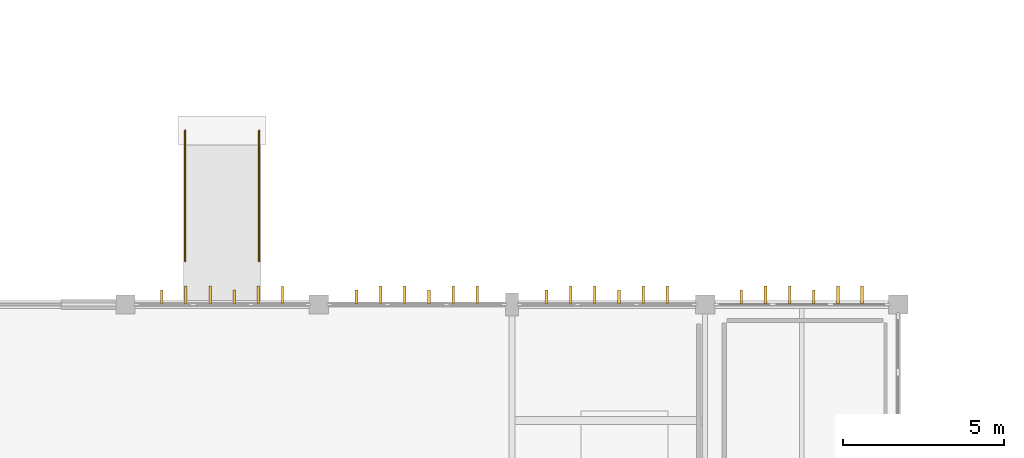
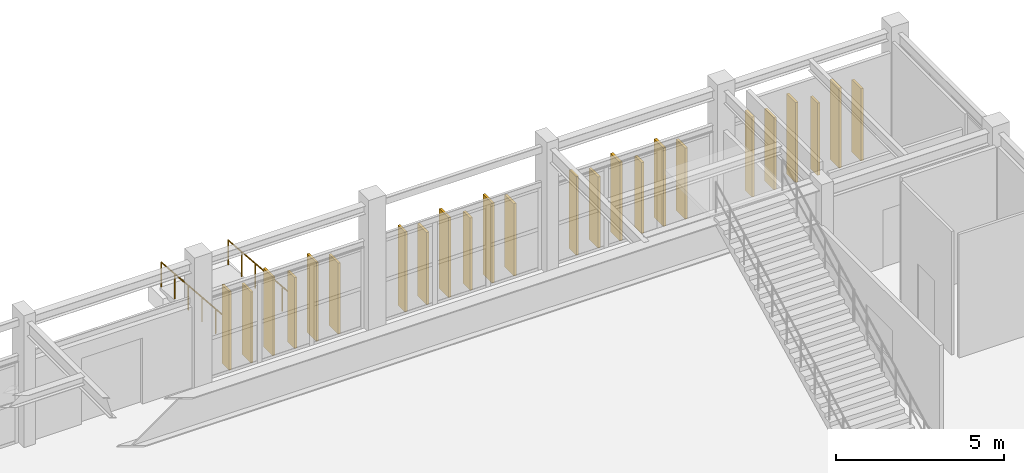
# One storey, part 67 of 76: 18 coverings, 6 shading devices, 2 railings.
"""IFC4 building model written with IfcOpenShell, lengths in metres."""

from ifc_helpers import new_model, si_unit, direction, frame, origin, origin_2d, place, context, subcontext, project, spatial, rectangle, circle, extrude, material, layer, layer_set, type_object, element, save


model = new_model("IFC4")

# Units and contexts
model_context = context("Model", 3, precision=1e-05, world=origin(), true_north=direction((0.0, 1.0)))
body_context = subcontext(model_context, "Body", "Model", "MODEL_VIEW")
ifc_project = project(units=[si_unit("LENGTHUNIT", "METRE"), si_unit("AREAUNIT", "SQUARE_METRE"), si_unit("VOLUMEUNIT", "CUBIC_METRE"), si_unit("PLANEANGLEUNIT", "RADIAN"), si_unit("MASSUNIT", "GRAM", prefix="KILO")], contexts=[model_context])

# Site, building, storey
site_placement = place(None, origin())
site = spatial("IfcSite", under=ifc_project, at=site_placement, CompositionType="ELEMENT")
building_placement = place(site_placement, origin())
building = spatial("IfcBuilding", under=site, at=building_placement, Name="Varnakota Square Police Headquarters", CompositionType="ELEMENT")
storey_placement = place(building_placement, origin())
storey = spatial("IfcBuildingStorey", under=building, at=storey_placement, Name="L00", CompositionType="ELEMENT", Elevation=0.0)

# Coverings
ifc_material_1 = material(Name="White Anodised Aluminium Vertical Facade Blade 420", Category="aluminium")
ifc_layer_1 = layer(ifc_material_1, 0.0849609375, Name="White Anodised Aluminium Vertical Facade Blade 420")
ifc_layer_set_1 = layer_set([ifc_layer_1], Name="White Anodised Aluminium Vertical Facade Blade 420")
covering_type_1 = type_object("IfcCoveringType", Name="COV-FIN-420", PredefinedType="CLADDING", material=ifc_layer_set_1)
covering_1_placement = place(storey_placement, frame((79.175048828125, 39.237548828125, 0.0400390625), z_axis=(0.0, 0.0, 1.0), x_axis=(1.0, 0.0, 0.0)))
element("IfcCovering", 1, at=covering_1_placement, inside=storey, type_object=covering_type_1, Name="Vertical aluminium facade fin FIN-0025", PredefinedType="CLADDING", context=body_context, shape_type="SweptSolid", body=[
    extrude(rectangle(XDim=0.0849609375, YDim=0.419921875, at=origin_2d()), origin(), (0.0, 0.0, 1.0), 2.909912109375),
])
covering_2_placement = place(storey_placement, frame((81.425048828125, 39.237548828125, 0.0400390625), z_axis=(0.0, 0.0, 1.0), x_axis=(1.0, 0.0, 0.0)))
element("IfcCovering", 2, at=covering_2_placement, inside=storey, type_object=covering_type_1, Name="Vertical aluminium facade fin FIN-0028", PredefinedType="CLADDING", context=body_context, shape_type="SweptSolid", body=[
    extrude(rectangle(XDim=0.0849609375, YDim=0.419921875, at=origin_2d()), origin(), (0.0, 0.0, 1.0), 2.6298828125),
])
covering_3_placement = place(storey_placement, frame((85.074951171875, 39.237548828125, 0.0400390625), z_axis=(0.0, 0.0, 1.0), x_axis=(1.0, 0.0, 0.0)))
element("IfcCovering", 3, at=covering_3_placement, inside=storey, type_object=covering_type_1, Name="Vertical aluminium facade fin FIN-0031", PredefinedType="CLADDING", context=body_context, shape_type="SweptSolid", body=[
    extrude(rectangle(XDim=0.0849609375, YDim=0.419921875, at=origin_2d()), origin(), (0.0, 0.0, 1.0), 2.860107421875),
])
covering_4_placement = place(storey_placement, frame((87.324951171875, 39.237548828125, 0.0400390625), z_axis=(0.0, 0.0, 1.0), x_axis=(1.0, 0.0, 0.0)))
element("IfcCovering", 4, at=covering_4_placement, inside=storey, type_object=covering_type_1, Name="Vertical aluminium facade fin FIN-0034", PredefinedType="CLADDING", context=body_context, shape_type="SweptSolid", body=[
    extrude(rectangle(XDim=0.0849609375, YDim=0.419921875, at=origin_2d()), origin(), (0.0, 0.0, 1.0), 2.580078125),
])
covering_5_placement = place(storey_placement, frame((91.125, 39.237548828125, 0.0400390625), z_axis=(0.0, 0.0, 1.0), x_axis=(1.0, 0.0, 0.0)))
element("IfcCovering", 5, at=covering_5_placement, inside=storey, type_object=covering_type_1, Name="Vertical aluminium facade fin FIN-0037", PredefinedType="CLADDING", context=body_context, shape_type="SweptSolid", body=[
    extrude(rectangle(XDim=0.0849609375, YDim=0.419921875, at=origin_2d()), origin(), (0.0, 0.0, 1.0), 2.909912109375),
])
covering_6_placement = place(storey_placement, frame((93.375, 39.237548828125, 0.0400390625), z_axis=(0.0, 0.0, 1.0), x_axis=(1.0, 0.0, 0.0)))
element("IfcCovering", 6, at=covering_6_placement, inside=storey, type_object=covering_type_1, Name="Vertical aluminium facade fin FIN-0040", PredefinedType="CLADDING", context=body_context, shape_type="SweptSolid", body=[
    extrude(rectangle(XDim=0.0849609375, YDim=0.419921875, at=origin_2d()), origin(), (0.0, 0.0, 1.0), 2.6298828125),
])
ifc_material_2 = material(Name="White Anodised Aluminium Vertical Facade Blade 550", Category="aluminium")
ifc_layer_2 = layer(ifc_material_2, 0.0849609375, Name="White Anodised Aluminium Vertical Facade Blade 550")
ifc_layer_set_2 = layer_set([ifc_layer_2], Name="White Anodised Aluminium Vertical Facade Blade 550")
covering_type_2 = type_object("IfcCoveringType", Name="COV-FIN-550", PredefinedType="CLADDING", material=ifc_layer_set_2)
covering_7_placement = place(storey_placement, frame((79.925048828125, 39.302490234375, 0.0400390625), z_axis=(0.0, 0.0, 1.0), x_axis=(1.0, 0.0, 0.0)))
element("IfcCovering", 7, at=covering_7_placement, inside=storey, type_object=covering_type_2, Name="Vertical aluminium facade fin FIN-0026", PredefinedType="CLADDING", context=body_context, shape_type="SweptSolid", body=[
    extrude(rectangle(XDim=0.0849609375, YDim=0.550048828125, at=origin_2d()), origin(), (0.0, 0.0, 1.0), 2.6298828125),
])
for number, where, z_axis, x_axis, name in (
    (8, (80.675048828125, 39.302490234375, 0.0400390625), (0.0, 0.0, 1.0), (1.0, 0.0, 0.0), "Vertical aluminium facade fin FIN-0027"),
    (9, (82.175048828125, 39.302490234375, 0.0400390625), (0.0, 0.0, 1.0), (1.0, 0.0, 0.0), "Vertical aluminium facade fin FIN-0029"),
):
    element("IfcCovering", number, at=place(storey_placement, frame(where, z_axis=z_axis, x_axis=x_axis)), inside=storey, type_object=covering_type_2, Name=name, PredefinedType="CLADDING", context=body_context, shape_type="SweptSolid", body=[
        extrude(rectangle(XDim=0.0849609375, YDim=0.550048828125, at=origin_2d()), origin(), (0.0, 0.0, 1.0), 2.909912109375),
    ])
covering_8_placement = place(storey_placement, frame((82.925048828125, 39.302490234375, 0.0400390625), z_axis=(0.0, 0.0, 1.0), x_axis=(1.0, 0.0, 0.0)))
element("IfcCovering", 10, at=covering_8_placement, inside=storey, type_object=covering_type_2, Name="Vertical aluminium facade fin FIN-0030", PredefinedType="CLADDING", context=body_context, shape_type="SweptSolid", body=[
    extrude(rectangle(XDim=0.0849609375, YDim=0.550048828125, at=origin_2d()), origin(), (0.0, 0.0, 1.0), 2.6298828125),
])
covering_9_placement = place(storey_placement, frame((85.824951171875, 39.302490234375, 0.0400390625), z_axis=(0.0, 0.0, 1.0), x_axis=(1.0, 0.0, 0.0)))
element("IfcCovering", 11, at=covering_9_placement, inside=storey, type_object=covering_type_2, Name="Vertical aluminium facade fin FIN-0032", PredefinedType="CLADDING", context=body_context, shape_type="SweptSolid", body=[
    extrude(rectangle(XDim=0.0849609375, YDim=0.550048828125, at=origin_2d()), origin(), (0.0, 0.0, 1.0), 2.580078125),
])
for number, where, z_axis, x_axis, name in (
    (12, (86.574951171875, 39.302490234375, 0.0400390625), (0.0, 0.0, 1.0), (1.0, 0.0, 0.0), "Vertical aluminium facade fin FIN-0033"),
    (13, (88.074951171875, 39.302490234375, 0.0400390625), (0.0, 0.0, 1.0), (1.0, 0.0, 0.0), "Vertical aluminium facade fin FIN-0035"),
):
    element("IfcCovering", number, at=place(storey_placement, frame(where, z_axis=z_axis, x_axis=x_axis)), inside=storey, type_object=covering_type_2, Name=name, PredefinedType="CLADDING", context=body_context, shape_type="SweptSolid", body=[
        extrude(rectangle(XDim=0.0849609375, YDim=0.550048828125, at=origin_2d()), origin(), (0.0, 0.0, 1.0), 2.860107421875),
    ])
covering_10_placement = place(storey_placement, frame((88.824951171875, 39.302490234375, 0.0400390625), z_axis=(0.0, 0.0, 1.0), x_axis=(1.0, 0.0, 0.0)))
element("IfcCovering", 14, at=covering_10_placement, inside=storey, type_object=covering_type_2, Name="Vertical aluminium facade fin FIN-0036", PredefinedType="CLADDING", context=body_context, shape_type="SweptSolid", body=[
    extrude(rectangle(XDim=0.0849609375, YDim=0.550048828125, at=origin_2d()), origin(), (0.0, 0.0, 1.0), 2.580078125),
])
covering_11_placement = place(storey_placement, frame((91.875, 39.302490234375, 0.0400390625), z_axis=(0.0, 0.0, 1.0), x_axis=(1.0, 0.0, 0.0)))
element("IfcCovering", 15, at=covering_11_placement, inside=storey, type_object=covering_type_2, Name="Vertical aluminium facade fin FIN-0038", PredefinedType="CLADDING", context=body_context, shape_type="SweptSolid", body=[
    extrude(rectangle(XDim=0.0849609375, YDim=0.550048828125, at=origin_2d()), origin(), (0.0, 0.0, 1.0), 2.6298828125),
])
for number, where, z_axis, x_axis, name in (
    (16, (92.625, 39.302490234375, 0.0400390625), (0.0, 0.0, 1.0), (1.0, 0.0, 0.0), "Vertical aluminium facade fin FIN-0039"),
    (17, (94.125, 39.302490234375, 0.0400390625), (0.0, 0.0, 1.0), (1.0, 0.0, 0.0), "Vertical aluminium facade fin FIN-0041"),
):
    element("IfcCovering", number, at=place(storey_placement, frame(where, z_axis=z_axis, x_axis=x_axis)), inside=storey, type_object=covering_type_2, Name=name, PredefinedType="CLADDING", context=body_context, shape_type="SweptSolid", body=[
        extrude(rectangle(XDim=0.0849609375, YDim=0.550048828125, at=origin_2d()), origin(), (0.0, 0.0, 1.0), 2.909912109375),
    ])
covering_12_placement = place(storey_placement, frame((94.875, 39.302490234375, 0.0400390625), z_axis=(0.0, 0.0, 1.0), x_axis=(1.0, 0.0, 0.0)))
element("IfcCovering", 18, at=covering_12_placement, inside=storey, type_object=covering_type_2, Name="Vertical aluminium facade fin FIN-0042", PredefinedType="CLADDING", context=body_context, shape_type="SweptSolid", body=[
    extrude(rectangle(XDim=0.0849609375, YDim=0.550048828125, at=origin_2d()), origin(), (0.0, 0.0, 1.0), 2.6298828125),
])

# Railings
ifc_material_3 = material(Name="Brushed Stainless Steel Tubular Handrail", Category="steel")
railing_type = type_object("IfcRailingType", Name="RL-HND-920", PredefinedType="HANDRAIL", material=ifc_material_3)
for number, where, name in (
    (19, (76.14990234375, 44.39990234375, -0.449951171875), "Accessible ramp handrail RMP-A4-L"),
    (20, (73.85009765625, 44.39990234375, -0.449951171875), "Accessible ramp handrail RMP-A4-R"),
):
    element("IfcRailing", number, at=place(storey_placement, frame(where)), inside=storey, type_object=railing_type, Name=name, PredefinedType="HANDRAIL", context=body_context, shape_type="SweptSolid", body=[
        extrude(circle(Radius=0.02392578125, at=origin_2d()), frame((0.0, 0.0, 0.89599609375), z_axis=(0.0, -0.996547415327, 0.083025592475), x_axis=(1.0, 0.0, 0.0)), (0.0, 0.0, 1.0), 4.063720703125),
        extrude(circle(Radius=0.02099609375, at=origin_2d()), origin(), (0.0, 0.0, 1.0), 0.871826171875),
        extrude(circle(Radius=0.02099609375, at=origin_2d()), frame((0.0, -0.81005859375, 0.0673828125)), (0.0, 0.0, 1.0), 0.871826171875),
        extrude(circle(Radius=0.02099609375, at=origin_2d()), frame((0.0, -1.619873046875, 0.135009765625)), (0.0, 0.0, 1.0), 0.871826171875),
        extrude(circle(Radius=0.02099609375, at=origin_2d()), frame((0.0, -2.429931640625, 0.202392578125)), (0.0, 0.0, 1.0), 0.871826171875),
        extrude(circle(Radius=0.02099609375, at=origin_2d()), frame((0.0, -3.23974609375, 0.27001953125)), (0.0, 0.0, 1.0), 0.871826171875),
        extrude(circle(Radius=0.02099609375, at=origin_2d()), frame((0.0, -4.0498046875, 0.33740234375)), (0.0, 0.0, 1.0), 0.871826171875),
    ])

# Shading devices
ifc_material_4 = material(Name="Pale-Anodised Aluminium Solar Blade", Category="aluminium")
shading_device_type_1 = type_object("IfcShadingDeviceType", Name="SHD-FIN-420", PredefinedType="USERDEFINED", material=ifc_material_4)
shading_device_1_placement = place(storey_placement, frame((73.125, 39.237548828125, 0.0400390625), z_axis=(0.0, 0.0, 1.0), x_axis=(1.0, 0.0, 0.0)))
element("IfcShadingDevice", 21, at=shading_device_1_placement, inside=storey, type_object=shading_device_type_1, Name="Vertical aluminium facade fin FIN-0019", ObjectType="FIN", PredefinedType="USERDEFINED", context=body_context, shape_type="SweptSolid", body=[
    extrude(rectangle(XDim=0.074951171875, YDim=0.419921875, at=origin_2d()), origin(), (0.0, 0.0, 1.0), 2.860107421875),
])
shading_device_2_placement = place(storey_placement, frame((75.375, 39.237548828125, 0.0400390625), z_axis=(0.0, 0.0, 1.0), x_axis=(1.0, 0.0, 0.0)))
element("IfcShadingDevice", 22, at=shading_device_2_placement, inside=storey, type_object=shading_device_type_1, Name="Vertical aluminium facade fin FIN-0022", ObjectType="FIN", PredefinedType="USERDEFINED", context=body_context, shape_type="SweptSolid", body=[
    extrude(rectangle(XDim=0.074951171875, YDim=0.419921875, at=origin_2d()), origin(), (0.0, 0.0, 1.0), 2.580078125),
])
shading_device_type_2 = type_object("IfcShadingDeviceType", Name="SHD-FIN-550", PredefinedType="USERDEFINED", material=ifc_material_4)
shading_device_3_placement = place(storey_placement, frame((73.875, 39.302490234375, 0.0400390625), z_axis=(0.0, 0.0, 1.0), x_axis=(1.0, 0.0, 0.0)))
element("IfcShadingDevice", 23, at=shading_device_3_placement, inside=storey, type_object=shading_device_type_2, Name="Vertical aluminium facade fin FIN-0020", ObjectType="FIN", PredefinedType="USERDEFINED", context=body_context, shape_type="SweptSolid", body=[
    extrude(rectangle(XDim=0.074951171875, YDim=0.550048828125, at=origin_2d()), origin(), (0.0, 0.0, 1.0), 2.580078125),
])
for number, where, z_axis, x_axis, name in (
    (24, (74.625, 39.302490234375, 0.0400390625), (0.0, 0.0, 1.0), (1.0, 0.0, 0.0), "Vertical aluminium facade fin FIN-0021"),
    (25, (76.125, 39.302490234375, 0.0400390625), (0.0, 0.0, 1.0), (1.0, 0.0, 0.0), "Vertical aluminium facade fin FIN-0023"),
):
    element("IfcShadingDevice", number, at=place(storey_placement, frame(where, z_axis=z_axis, x_axis=x_axis)), inside=storey, type_object=shading_device_type_2, Name=name, ObjectType="FIN", PredefinedType="USERDEFINED", context=body_context, shape_type="SweptSolid", body=[
        extrude(rectangle(XDim=0.074951171875, YDim=0.550048828125, at=origin_2d()), origin(), (0.0, 0.0, 1.0), 2.860107421875),
    ])
shading_device_4_placement = place(storey_placement, frame((76.875, 39.302490234375, 0.0400390625), z_axis=(0.0, 0.0, 1.0), x_axis=(1.0, 0.0, 0.0)))
element("IfcShadingDevice", 26, at=shading_device_4_placement, inside=storey, type_object=shading_device_type_2, Name="Vertical aluminium facade fin FIN-0024", ObjectType="FIN", PredefinedType="USERDEFINED", context=body_context, shape_type="SweptSolid", body=[
    extrude(rectangle(XDim=0.074951171875, YDim=0.550048828125, at=origin_2d()), origin(), (0.0, 0.0, 1.0), 2.580078125),
])

save(model, "model.ifc")
